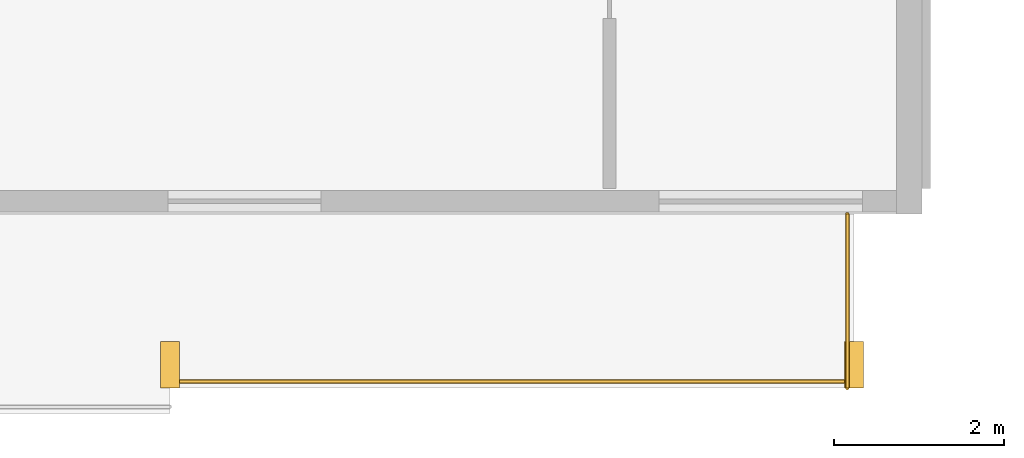
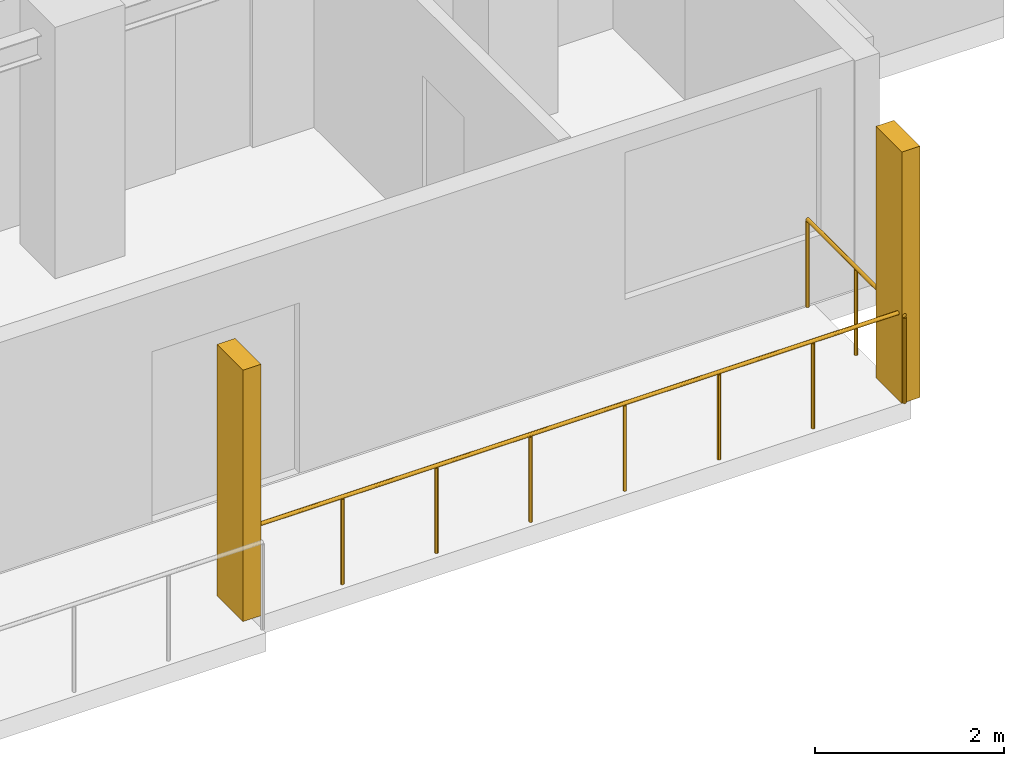
# One storey, part 20 of 22: 2 railings, 2 shading devices.
"""IFC4 building model written with IfcOpenShell, lengths in metres."""

from ifc_helpers import new_model, si_unit, direction, frame, origin, origin_2d, place, context, subcontext, project, spatial, rectangle, circle, extrude, material, type_object, element, save


model = new_model("IFC4")

# Units and contexts
model_context = context("Model", 3, precision=1e-05, world=origin(), true_north=direction((0.0, 1.0)))
body_context = subcontext(model_context, "Body", "Model", "MODEL_VIEW")
ifc_project = project(units=[si_unit("LENGTHUNIT", "METRE"), si_unit("AREAUNIT", "SQUARE_METRE"), si_unit("VOLUMEUNIT", "CUBIC_METRE"), si_unit("PLANEANGLEUNIT", "RADIAN"), si_unit("MASSUNIT", "GRAM", prefix="KILO")], contexts=[model_context])

# Site, building, storey
site_placement = place(None, origin())
site = spatial("IfcSite", under=ifc_project, at=site_placement, CompositionType="ELEMENT")
building_placement = place(site_placement, origin())
building = spatial("IfcBuilding", under=site, at=building_placement, Name="Korimba Cascade Residences", CompositionType="ELEMENT")
storey_placement = place(building_placement, frame((0.0, 0.0, 87.300048828125)))
storey = spatial("IfcBuildingStorey", under=building, at=storey_placement, Name="L24", CompositionType="ELEMENT", Elevation=87.300048828125)

# Railings
ifc_material_1 = material(Name="Laminated Glass and Bronze Balustrade", Category="glass")
railing_type = type_object("IfcRailingType", Name="RLG-LOG-1150", PredefinedType="BALUSTRADE", material=ifc_material_1)
railing_1_placement = place(storey_placement, frame((121.843017578125, -10.969970703125, 0.0)))
element("IfcRailing", 1, at=railing_1_placement, inside=storey, type_object=railing_type, Name="L24 Perimeter Guardrail RLG-L24-T2-LOG-06", PredefinedType="BALUSTRADE", context=body_context, shape_type="SweptSolid", body=[
    extrude(circle(Radius=0.02392578125, at=origin_2d()), frame((0.0, 0.0, 1.1259765625), z_axis=(1.0, 0.0, 0.0), x_axis=(0.0, 1.0, 0.0)), (0.0, 0.0, 1.0), 8.056884765625),
    extrude(circle(Radius=0.02099609375, at=origin_2d()), origin(), (0.0, 0.0, 1.0), 1.101806640625),
    extrude(circle(Radius=0.02099609375, at=origin_2d()), frame((1.15087890625, 0.0, 0.0)), (0.0, 0.0, 1.0), 1.101806640625),
    extrude(circle(Radius=0.02099609375, at=origin_2d()), frame((2.302001953125, 0.0, 0.0)), (0.0, 0.0, 1.0), 1.101806640625),
    extrude(circle(Radius=0.02099609375, at=origin_2d()), frame((3.452880859375, 0.0, 0.0)), (0.0, 0.0, 1.0), 1.101806640625),
    extrude(circle(Radius=0.02099609375, at=origin_2d()), frame((4.60400390625, 0.0, 0.0)), (0.0, 0.0, 1.0), 1.101806640625),
    extrude(circle(Radius=0.02099609375, at=origin_2d()), frame((5.7548828125, 0.0, 0.0)), (0.0, 0.0, 1.0), 1.101806640625),
    extrude(circle(Radius=0.02099609375, at=origin_2d()), frame((6.906005859375, 0.0, 0.0)), (0.0, 0.0, 1.0), 1.101806640625),
    extrude(circle(Radius=0.02099609375, at=origin_2d()), frame((8.056884765625, 0.0, 0.0)), (0.0, 0.0, 1.0), 1.101806640625),
])
railing_2_placement = place(storey_placement, frame((129.820068359375, -11.050048828125, 0.0)))
element("IfcRailing", 2, at=railing_2_placement, inside=storey, type_object=railing_type, Name="L24 Perimeter Guardrail RLG-L24-T2-LOG-07", PredefinedType="BALUSTRADE", context=body_context, shape_type="SweptSolid", body=[
    extrude(circle(Radius=0.02392578125, at=origin_2d()), frame((0.0, 0.0, 1.1259765625), z_axis=(0.0, 1.0, 0.0), x_axis=(-1.0, 0.0, 0.0)), (0.0, 0.0, 1.0), 2.050048828125),
    extrude(circle(Radius=0.02099609375, at=origin_2d()), origin(), (0.0, 0.0, 1.0), 1.101806640625),
    extrude(circle(Radius=0.02099609375, at=origin_2d()), frame((0.0, 1.02490234375, 0.0)), (0.0, 0.0, 1.0), 1.101806640625),
    extrude(circle(Radius=0.02099609375, at=origin_2d()), frame((0.0, 2.050048828125, 0.0)), (0.0, 0.0, 1.0), 1.101806640625),
])

# Shading devices
ifc_material_2 = material(Name="Honed Sandstone Precast Fin", Category="masonry")
shading_device_type = type_object("IfcShadingDeviceType", Name="SHD-FIN-550", PredefinedType="USERDEFINED", material=ifc_material_2)
for number, where, z_axis, x_axis, name in (
    (3, (121.843017578125, -10.77490234375, 0.0), (0.0, 0.0, 1.0), (1.0, 0.0, 0.0), "L24 T2 Warm-Stone Loggia Fin 7"),
    (4, (129.89990234375, -10.77490234375, 0.0), (0.0, 0.0, 1.0), (1.0, 0.0, 0.0), "L24 T2 Warm-Stone Loggia Fin 8"),
):
    element("IfcShadingDevice", number, at=place(storey_placement, frame(where, z_axis=z_axis, x_axis=x_axis)), inside=storey, type_object=shading_device_type, Name=name, ObjectType="FIN", PredefinedType="USERDEFINED", context=body_context, shape_type="SweptSolid", body=[
        extrude(rectangle(XDim=0.219970703125, YDim=0.550048828125, at=origin_2d()), origin(), (0.0, 0.0, 1.0), 3.25),
    ])

save(model, "model.ifc")
